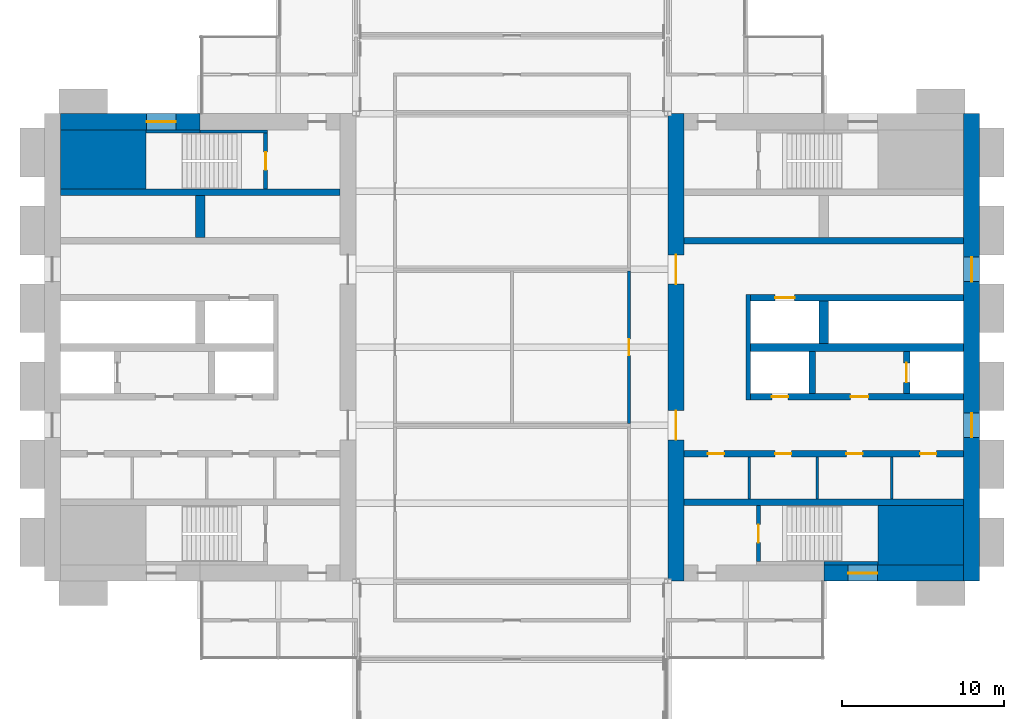
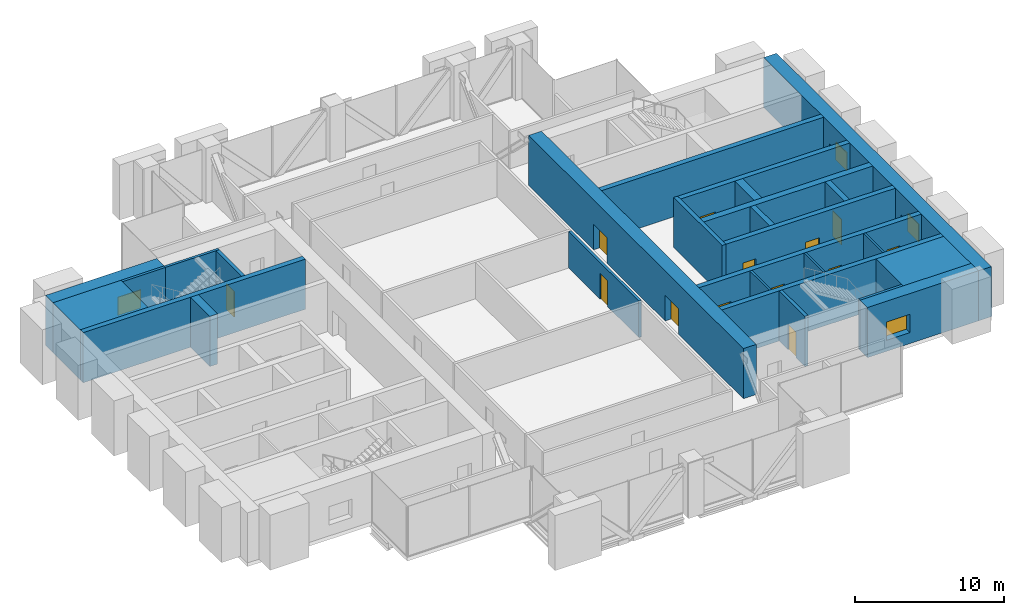
# One storey, part 11 of 14: 27 walls, 13 doors, 4 windows, 17 openings.
"""IFC4 building model written with IfcOpenShell, lengths in metres."""

from ifc_helpers import new_model, si_unit, direction, frame, frame_2d, origin, place, context, subcontext, project, spatial, rectangle, extrude, material, layer, layer_set, type_object, element, fill, save


model = new_model("IFC4")

# Units and contexts
model_context = context("Model", 3, precision=1e-05, world=origin(), true_north=direction((0.0, 1.0)))
body_context = subcontext(model_context, "Body", "Model", "MODEL_VIEW")
ifc_project = project(units=[si_unit("LENGTHUNIT", "METRE"), si_unit("AREAUNIT", "SQUARE_METRE"), si_unit("VOLUMEUNIT", "CUBIC_METRE"), si_unit("PLANEANGLEUNIT", "RADIAN"), si_unit("MASSUNIT", "GRAM", prefix="KILO")], contexts=[model_context])

# Site, building, storey
site_placement = place(None, origin())
site = spatial("IfcSite", under=ifc_project, at=site_placement, CompositionType="ELEMENT")
building_placement = place(site_placement, origin())
building = spatial("IfcBuilding", under=site, at=building_placement, Name="Baori Bourse Tower", CompositionType="ELEMENT")
storey_placement = place(building_placement, frame((0.0, 0.0, 176.10009765625)))
storey = spatial("IfcBuildingStorey", under=building, at=storey_placement, Name="L39", CompositionType="ELEMENT", Elevation=176.10009765625)

# Walls
ifc_material_1 = material(Name="Concrete f'c 60 MPa", Category="concrete")
wall_type_1 = type_object("IfcWallType", Name="Core corner block f'c 60", PredefinedType="SHEAR", material=ifc_material_1)
for number, where, z_axis, x_axis, name in (
    (1, (1.0, 35.574951171875, 0.0), (0.0, 0.0, 1.0), (1.0, 0.0, 0.0), "Core wall W24"),
    (2, (51.35009765625, 12.425048828125, 0.0), (0.0, 0.0, 1.0), (1.0, 0.0, 0.0), "Core wall E05"),
):
    element("IfcWall", number, at=place(storey_placement, frame(where, z_axis=z_axis, x_axis=x_axis)), inside=storey, type_object=wall_type_1, Name=name, PredefinedType="SHEAR", context=body_context, shape_type="SweptSolid", body=[
        extrude(rectangle(XDim=5.25, YDim=3.64990234375, at=frame_2d((2.625, 0.0))), origin(), (0.0, 0.0, 1.0), 4.099853515625),
    ])
ifc_material_2 = material(Name="Blockwork partition", Category="masonry")
ifc_layer_1 = layer(ifc_material_2, 0.14990234375)
ifc_layer_set_1 = layer_set([ifc_layer_1], Name="Core partition 150")
wall_type_2 = type_object("IfcWallType", Name="Core partition 150", PredefinedType="PARTITIONING", material=ifc_layer_set_1)
for number, where, z_axis, x_axis, name in (
    (3, (52.199951171875, 14.64990234375, 0.0), (0.0, 0.0, 1.0), (0.0, 1.0, 0.0), "Partition wall E10"),
    (4, (47.60009765625, 14.64990234375, 0.0), (0.0, 0.0, 1.0), (0.0, 1.0, 0.0), "Partition wall E11"),
    (5, (43.39990234375, 14.64990234375, 0.0), (0.0, 0.0, 1.0), (0.0, 1.0, 0.0), "Partition wall E12"),
):
    element("IfcWall", number, at=place(storey_placement, frame(where, z_axis=z_axis, x_axis=x_axis)), inside=storey, type_object=wall_type_2, Name=name, PredefinedType="PARTITIONING", context=body_context, shape_type="SweptSolid", body=[
        extrude(rectangle(XDim=2.60009765625, YDim=0.14990234375, at=frame_2d((1.300048828125, 0.0))), origin(), (0.0, 0.0, 1.0), 4.099853515625),
    ])

# Wall, opening, window
ifc_material_3 = material(Name="Concrete f'c 60 MPa", Category="concrete")
ifc_layer_2 = layer(ifc_material_3, 1.0)
ifc_layer_set_2 = layer_set([ifc_layer_2], Name="Core wall 1000 f'c 60")
wall_type_3 = type_object("IfcWallType", Name="Core wall 1000 f'c 60", PredefinedType="SHEAR", material=ifc_layer_set_2)
wall_1_placement = place(storey_placement, frame((1.0, 37.89990234375, 0.0), z_axis=(0.0, 0.0, 1.0), x_axis=(1.0, 0.0, 0.0)))
wall_1 = element("IfcWall", 6, at=wall_1_placement, inside=storey, type_object=wall_type_3, Name="Core wall W28", PredefinedType="SHEAR", context=body_context, shape_type="SweptSolid", body=[
    extrude(rectangle(XDim=8.60009765625, YDim=1.0, at=frame_2d((4.300048828125, 0.0))), origin(), (0.0, 0.0, 1.0), 4.099853515625),
])
opening_1_placement = place(wall_1_placement, frame((5.300048828125, 0.0, 0.89990234375)))
opening_1 = element("IfcOpeningElement", 7, at=opening_1_placement, cuts=wall_1, Name="Opening L39-KW104", PredefinedType="OPENING", context=body_context, shape_type="SweptSolid", body=[
    extrude(rectangle(XDim=1.800048828125, YDim=1.5, at=frame_2d((0.89990234375, 0.75))), frame((0.0, 0.510009765625, 0.0), z_axis=(0.0, -1.0, 0.0), x_axis=(1.0, 0.0, 0.0)), (0.0, 0.0, 1.0), 1.02001953125),
])
ifc_material_4 = material(Name="Pale anodised aluminium", Category="aluminium")
window_type_1 = type_object("IfcWindowType", Name="Stair window 1800 x 1500", PartitioningType="SINGLE_PANEL", PredefinedType="WINDOW", material=ifc_material_4)
window_1_placement = place(opening_1_placement, origin())
window_1 = element("IfcWindow", 8, at=window_1_placement, inside=storey, type_object=window_type_1, Name="Stair window W L39 4", OverallHeight=1.5, OverallWidth=1.800048828125, PartitioningType="SINGLE_PANEL", PredefinedType="WINDOW", context=body_context, shape_type="SweptSolid", body=[
    extrude(rectangle(XDim=1.800048828125, YDim=1.5, at=frame_2d((0.89990234375, 0.75))), frame((0.0, 0.030029296875, 0.0), z_axis=(0.0, -1.0, 0.0), x_axis=(1.0, 0.0, 0.0)), (0.0, 0.0, 1.0), 0.06005859375),
])
fill(opening_1, window_1)

# Wall, openings, windows
wall_2_placement = place(storey_placement, frame((57.10009765625, 38.39990234375, 0.0), z_axis=(0.0, 0.0, 1.0), x_axis=(0.0, -1.0, 0.0)))
wall_2 = element("IfcWall", 9, at=wall_2_placement, inside=storey, type_object=wall_type_3, Name="Core wall E01", PredefinedType="SHEAR", context=body_context, shape_type="SweptSolid", body=[
    extrude(rectangle(XDim=28.7998046875, YDim=1.0, at=frame_2d((14.39990234375, 0.0))), origin(), (0.0, 0.0, 1.0), 4.099853515625),
])
opening_2_placement = place(wall_2_placement, frame((18.449951171875, 0.0, 0.89990234375)))
opening_2 = element("IfcOpeningElement", 10, at=opening_2_placement, cuts=wall_2, Name="Opening L39-KW201", PredefinedType="OPENING", context=body_context, shape_type="SweptSolid", body=[
    extrude(rectangle(XDim=1.5, YDim=1.5, at=frame_2d((0.75, 0.75))), frame((0.0, 0.510009765625, 0.0), z_axis=(0.0, -1.0, 0.0), x_axis=(1.0, 0.0, 0.0)), (0.0, 0.0, 1.0), 1.02001953125),
])
opening_3_placement = place(wall_2_placement, frame((8.85009765625, 0.0, 0.89990234375)))
opening_3 = element("IfcOpeningElement", 11, at=opening_3_placement, cuts=wall_2, Name="Opening L39-KW202", PredefinedType="OPENING", context=body_context, shape_type="SweptSolid", body=[
    extrude(rectangle(XDim=1.5, YDim=1.5, at=frame_2d((0.75, 0.75))), frame((0.0, 0.510009765625, 0.0), z_axis=(0.0, -1.0, 0.0), x_axis=(1.0, 0.0, 0.0)), (0.0, 0.0, 1.0), 1.02001953125),
])
ifc_material_5 = material(Name="Pale anodised aluminium", Category="aluminium")
window_type_2 = type_object("IfcWindowType", Name="Lobby window 1500 x 1500", PartitioningType="SINGLE_PANEL", PredefinedType="WINDOW", material=ifc_material_5)
window_2_placement = place(opening_2_placement, origin())
window_2 = element("IfcWindow", 12, at=window_2_placement, inside=storey, type_object=window_type_2, Name="Outer wall window E L39 1", OverallHeight=1.5, OverallWidth=1.5, PartitioningType="SINGLE_PANEL", PredefinedType="WINDOW", context=body_context, shape_type="SweptSolid", body=[
    extrude(rectangle(XDim=1.5, YDim=1.5, at=frame_2d((0.75, 0.75))), frame((0.0, 0.030029296875, 0.0), z_axis=(0.0, -1.0, 0.0), x_axis=(1.0, 0.0, 0.0)), (0.0, 0.0, 1.0), 0.06005859375),
])
fill(opening_2, window_2)
window_3_placement = place(opening_3_placement, origin())
window_3 = element("IfcWindow", 13, at=window_3_placement, inside=storey, type_object=window_type_2, Name="Outer wall window E L39 2", OverallHeight=1.5, OverallWidth=1.5, PartitioningType="SINGLE_PANEL", PredefinedType="WINDOW", context=body_context, shape_type="SweptSolid", body=[
    extrude(rectangle(XDim=1.5, YDim=1.5, at=frame_2d((0.75, 0.75))), frame((0.0, 0.030029296875, 0.0), z_axis=(0.0, -1.0, 0.0), x_axis=(1.0, 0.0, 0.0)), (0.0, 0.0, 1.0), 0.06005859375),
])
fill(opening_3, window_3)

# Wall, opening, window
wall_3_placement = place(storey_placement, frame((56.60009765625, 10.10009765625, 0.0), z_axis=(0.0, 0.0, 1.0), x_axis=(-1.0, 0.0, 0.0)))
wall_3 = element("IfcWall", 14, at=wall_3_placement, inside=storey, type_object=wall_type_3, Name="Core wall E02", PredefinedType="SHEAR", context=body_context, shape_type="SweptSolid", body=[
    extrude(rectangle(XDim=8.60009765625, YDim=1.0, at=frame_2d((4.300048828125, 0.0))), origin(), (0.0, 0.0, 1.0), 4.099853515625),
])
opening_4_placement = place(wall_3_placement, frame((5.300048828125, 0.0, 0.89990234375)))
opening_4 = element("IfcOpeningElement", 15, at=opening_4_placement, cuts=wall_3, Name="Opening L39-KW203", PredefinedType="OPENING", context=body_context, shape_type="SweptSolid", body=[
    extrude(rectangle(XDim=1.800048828125, YDim=1.5, at=frame_2d((0.89990234375, 0.75))), frame((0.0, 0.510009765625, 0.0), z_axis=(0.0, -1.0, 0.0), x_axis=(1.0, 0.0, 0.0)), (0.0, 0.0, 1.0), 1.02001953125),
])
window_4_placement = place(opening_4_placement, origin())
window_4 = element("IfcWindow", 16, at=window_4_placement, inside=storey, type_object=window_type_1, Name="Stair window E L39 3", OverallHeight=1.5, OverallWidth=1.800048828125, PartitioningType="SINGLE_PANEL", PredefinedType="WINDOW", context=body_context, shape_type="SweptSolid", body=[
    extrude(rectangle(XDim=1.800048828125, YDim=1.5, at=frame_2d((0.89990234375, 0.75))), frame((0.0, 0.030029296875, 0.0), z_axis=(0.0, -1.0, 0.0), x_axis=(1.0, 0.0, 0.0)), (0.0, 0.0, 1.0), 0.06005859375),
])
fill(opening_4, window_4)

# Wall, openings, doors
wall_4_placement = place(storey_placement, frame((38.89990234375, 9.60009765625, 0.0), z_axis=(0.0, 0.0, 1.0), x_axis=(0.0, 1.0, 0.0)))
wall_4 = element("IfcWall", 17, at=wall_4_placement, inside=storey, type_object=wall_type_3, Name="Core wall E04", PredefinedType="SHEAR", context=body_context, shape_type="SweptSolid", body=[
    extrude(rectangle(XDim=28.7998046875, YDim=1.0, at=frame_2d((14.39990234375, 0.0))), origin(), (0.0, 0.0, 1.0), 4.099853515625),
])
opening_5_placement = place(wall_4_placement, frame((8.699951171875, 0.0, 0.0)))
opening_5 = element("IfcOpeningElement", 18, at=opening_5_placement, cuts=wall_4, Name="Opening L39-D207", PredefinedType="OPENING", context=body_context, shape_type="SweptSolid", body=[
    extrude(rectangle(XDim=1.800048828125, YDim=2.10009765625, at=frame_2d((0.89990234375, 1.050048828125))), frame((0.0, 0.510009765625, 0.0), z_axis=(0.0, -1.0, 0.0), x_axis=(1.0, 0.0, 0.0)), (0.0, 0.0, 1.0), 1.02001953125),
])
opening_6_placement = place(wall_4_placement, frame((18.300048828125, 0.0, 0.0)))
opening_6 = element("IfcOpeningElement", 19, at=opening_6_placement, cuts=wall_4, Name="Opening L39-D208", PredefinedType="OPENING", context=body_context, shape_type="SweptSolid", body=[
    extrude(rectangle(XDim=1.800048828125, YDim=2.10009765625, at=frame_2d((0.89990234375, 1.050048828125))), frame((0.0, 0.510009765625, 0.0), z_axis=(0.0, -1.0, 0.0), x_axis=(1.0, 0.0, 0.0)), (0.0, 0.0, 1.0), 1.02001953125),
])
ifc_material_6 = material(Name="Painted steel door", Category="steel")
door_type_1 = type_object("IfcDoorType", Name="Core lobby door 1800", OperationType="DOUBLE_DOOR_SINGLE_SWING", PredefinedType="DOOR", material=ifc_material_6)
door_1_placement = place(opening_5_placement, origin())
door_1 = element("IfcDoor", 20, at=door_1_placement, inside=storey, type_object=door_type_1, Name="Lobby door E L39", OperationType="DOUBLE_DOOR_SINGLE_SWING", OverallHeight=2.10009765625, OverallWidth=1.800048828125, PredefinedType="DOOR", context=body_context, shape_type="SweptSolid", body=[
    extrude(rectangle(XDim=1.800048828125, YDim=2.10009765625, at=frame_2d((0.89990234375, 1.050048828125))), frame((0.0, 0.02490234375, 0.0), z_axis=(0.0, -1.0, 0.0), x_axis=(1.0, 0.0, 0.0)), (0.0, 0.0, 1.0), 0.050048828125),
])
fill(opening_5, door_1)
door_2_placement = place(opening_6_placement, origin())
door_2 = element("IfcDoor", 21, at=door_2_placement, inside=storey, type_object=door_type_1, Name="Lobby door E L39", OperationType="DOUBLE_DOOR_SINGLE_SWING", OverallHeight=2.10009765625, OverallWidth=1.800048828125, PredefinedType="DOOR", context=body_context, shape_type="SweptSolid", body=[
    extrude(rectangle(XDim=1.800048828125, YDim=2.10009765625, at=frame_2d((0.89990234375, 1.050048828125))), frame((0.0, 0.02490234375, 0.0), z_axis=(0.0, -1.0, 0.0), x_axis=(1.0, 0.0, 0.0)), (0.0, 0.0, 1.0), 0.050048828125),
])
fill(opening_6, door_2)

# Wall, opening, door
ifc_material_7 = material(Name="Gypsum board partition")
ifc_layer_3 = layer(ifc_material_7, 0.199951171875)
ifc_layer_set_3 = layer_set([ifc_layer_3], Name="Plant room wall 200")
wall_type_4 = type_object("IfcWallType", Name="Plant room wall 200", PredefinedType="PARTITIONING", material=ifc_layer_set_3)
wall_5_placement = place(storey_placement, frame((36.0, 19.300048828125, 0.0), z_axis=(0.0, 0.0, 1.0), x_axis=(0.0, 1.0, 0.0)))
wall_5 = element("IfcWall", 22, at=wall_5_placement, inside=storey, type_object=wall_type_4, Name="Partition", PredefinedType="PARTITIONING", context=body_context, shape_type="SweptSolid", body=[
    extrude(rectangle(XDim=9.39990234375, YDim=0.199951171875, at=frame_2d((4.699951171875, 0.0))), origin(), (0.0, 0.0, 1.0), 2.992431640625),
])
opening_7_placement = place(wall_5_placement, frame((4.199951171875, 0.0, 0.0)))
opening_7 = element("IfcOpeningElement", 23, at=opening_7_placement, cuts=wall_5, Name="Opening L39-D16", PredefinedType="OPENING", context=body_context, shape_type="SweptSolid", body=[
    extrude(rectangle(XDim=1.0, YDim=2.10009765625, at=frame_2d((0.5, 1.050048828125))), frame((0.0, 0.10986328125, 0.0), z_axis=(0.0, -1.0, 0.0), x_axis=(1.0, 0.0, 0.0)), (0.0, 0.0, 1.0), 0.219970703125),
])
ifc_material_8 = material(Name="Timber door leaf", Category="wood")
door_type_2 = type_object("IfcDoorType", Name="Door 1000 x 2100", OperationType="SINGLE_SWING_LEFT", PredefinedType="DOOR", material=ifc_material_8)
door_3_placement = place(opening_7_placement, origin())
door_3 = element("IfcDoor", 24, at=door_3_placement, inside=storey, type_object=door_type_2, Name="Door", OperationType="SINGLE_SWING_RIGHT", OverallHeight=2.10009765625, OverallWidth=1.0, PredefinedType="DOOR", context=body_context, shape_type="SweptSolid", body=[
    extrude(rectangle(XDim=1.0, YDim=2.10009765625, at=frame_2d((0.5, 1.050048828125))), frame((0.0, 0.02490234375, 0.0), z_axis=(0.0, -1.0, 0.0), x_axis=(1.0, 0.0, 0.0)), (0.0, 0.0, 1.0), 0.050048828125),
])
fill(opening_7, door_3)

# Walls
ifc_material_9 = material(Name="Concrete f'c 60 MPa", Category="concrete")
ifc_layer_4 = layer(ifc_material_9, 0.199951171875)
ifc_layer_set_4 = layer_set([ifc_layer_4], Name="Shaft wall 200 f'c 60")
wall_type_5 = type_object("IfcWallType", Name="Shaft wall 200 f'c 60", PredefinedType="SHEAR", material=ifc_layer_set_4)
wall_6_placement = place(storey_placement, frame((6.25, 37.300048828125, 0.0), z_axis=(0.0, 0.0, 1.0), x_axis=(1.0, 0.0, 0.0)))
element("IfcWall", 25, at=wall_6_placement, inside=storey, type_object=wall_type_5, Name="Core wall W26", PredefinedType="SHEAR", context=body_context, shape_type="SweptSolid", body=[
    extrude(rectangle(XDim=3.35009765625, YDim=0.199951171875, at=frame_2d((1.675048828125, 0.0))), origin(), (0.0, 0.0, 1.0), 4.099853515625),
])
wall_7_placement = place(storey_placement, frame((9.60009765625, 37.300048828125, 0.0), z_axis=(0.0, 0.0, 1.0), x_axis=(1.0, 0.0, 0.0)))
element("IfcWall", 26, at=wall_7_placement, inside=storey, type_object=wall_type_5, Name="Core wall W27", PredefinedType="SHEAR", context=body_context, shape_type="SweptSolid", body=[
    extrude(rectangle(XDim=4.14990234375, YDim=0.199951171875, at=frame_2d((2.074951171875, 0.0))), origin(), (0.0, 0.0, 1.0), 4.099853515625),
])
wall_8_placement = place(storey_placement, frame((48.0, 10.699951171875, 0.0), z_axis=(0.0, 0.0, 1.0), x_axis=(1.0, 0.0, 0.0)))
element("IfcWall", 27, at=wall_8_placement, inside=storey, type_object=wall_type_5, Name="Core wall E06", PredefinedType="SHEAR", context=body_context, shape_type="SweptSolid", body=[
    extrude(rectangle(XDim=3.35009765625, YDim=0.199951171875, at=frame_2d((1.675048828125, 0.0))), origin(), (0.0, 0.0, 1.0), 4.099853515625),
])

# Wall, opening, door
ifc_material_10 = material(Name="Concrete f'c 60 MPa", Category="concrete")
ifc_layer_5 = layer(ifc_material_10, 0.25)
ifc_layer_set_5 = layer_set([ifc_layer_5], Name="Shaft wall 250 f'c 60")
wall_type_6 = type_object("IfcWallType", Name="Shaft wall 250 f'c 60", PredefinedType="SHEAR", material=ifc_layer_set_5)
wall_9_placement = place(storey_placement, frame((13.625, 33.75, 0.0), z_axis=(0.0, 0.0, 1.0), x_axis=(0.0, 1.0, 0.0)))
wall_9 = element("IfcWall", 28, at=wall_9_placement, inside=storey, type_object=wall_type_6, Name="Core wall W25", PredefinedType="SHEAR", context=body_context, shape_type="SweptSolid", body=[
    extrude(rectangle(XDim=3.449951171875, YDim=0.25, at=frame_2d((1.72509765625, 0.0))), origin(), (0.0, 0.0, 1.0), 4.099853515625),
])
opening_8_placement = place(wall_9_placement, frame((1.175048828125, 0.0, 0.0)))
opening_8 = element("IfcOpeningElement", 29, at=opening_8_placement, cuts=wall_9, Name="Opening L39-D103", PredefinedType="OPENING", context=body_context, shape_type="SweptSolid", body=[
    extrude(rectangle(XDim=1.10009765625, YDim=2.10009765625, at=frame_2d((0.550048828125, 1.050048828125))), frame((0.0, 0.135009765625, 0.0), z_axis=(0.0, -1.0, 0.0), x_axis=(1.0, 0.0, 0.0)), (0.0, 0.0, 1.0), 0.27001953125),
])
ifc_material_11 = material(Name="Painted steel door", Category="steel")
door_type_3 = type_object("IfcDoorType", Name="Stair door 1100", OperationType="SINGLE_SWING_LEFT", PredefinedType="DOOR", material=ifc_material_11)
door_4_placement = place(opening_8_placement, origin())
door_4 = element("IfcDoor", 30, at=door_4_placement, inside=storey, type_object=door_type_3, Name="Stair door B W L39", OperationType="SINGLE_SWING_LEFT", OverallHeight=2.10009765625, OverallWidth=1.10009765625, PredefinedType="DOOR", context=body_context, shape_type="SweptSolid", body=[
    extrude(rectangle(XDim=1.10009765625, YDim=2.10009765625, at=frame_2d((0.550048828125, 1.050048828125))), frame((0.0, 0.02490234375, 0.0), z_axis=(0.0, -1.0, 0.0), x_axis=(1.0, 0.0, 0.0)), (0.0, 0.0, 1.0), 0.050048828125),
])
fill(opening_8, door_4)

wall_10_placement = place(storey_placement, frame((43.97509765625, 10.800048828125, 0.0), z_axis=(0.0, 0.0, 1.0), x_axis=(0.0, 1.0, 0.0)))
wall_10 = element("IfcWall", 31, at=wall_10_placement, inside=storey, type_object=wall_type_6, Name="Core wall E08", PredefinedType="SHEAR", context=body_context, shape_type="SweptSolid", body=[
    extrude(rectangle(XDim=3.449951171875, YDim=0.25, at=frame_2d((1.72509765625, 0.0))), origin(), (0.0, 0.0, 1.0), 4.099853515625),
])
opening_9_placement = place(wall_10_placement, frame((1.175048828125, 0.0, 0.0)))
opening_9 = element("IfcOpeningElement", 32, at=opening_9_placement, cuts=wall_10, Name="Opening L39-D201", PredefinedType="OPENING", context=body_context, shape_type="SweptSolid", body=[
    extrude(rectangle(XDim=1.10009765625, YDim=2.10009765625, at=frame_2d((0.550048828125, 1.050048828125))), frame((0.0, 0.135009765625, 0.0), z_axis=(0.0, -1.0, 0.0), x_axis=(1.0, 0.0, 0.0)), (0.0, 0.0, 1.0), 0.27001953125),
])
door_5_placement = place(opening_9_placement, origin())
door_5 = element("IfcDoor", 33, at=door_5_placement, inside=storey, type_object=door_type_3, Name="Stair door A E L39", OperationType="SINGLE_SWING_LEFT", OverallHeight=2.10009765625, OverallWidth=1.10009765625, PredefinedType="DOOR", context=body_context, shape_type="SweptSolid", body=[
    extrude(rectangle(XDim=1.10009765625, YDim=2.10009765625, at=frame_2d((0.550048828125, 1.050048828125))), frame((0.0, 0.02490234375, 0.0), z_axis=(0.0, -1.0, 0.0), x_axis=(1.0, 0.0, 0.0)), (0.0, 0.0, 1.0), 0.050048828125),
])
fill(opening_9, door_5)

# Walls
ifc_material_12 = material(Name="Concrete f'c 60 MPa", Category="concrete")
ifc_layer_6 = layer(ifc_material_12, 0.300048828125)
ifc_layer_set_6 = layer_set([ifc_layer_6], Name="Shaft wall 300 f'c 60")
wall_type_7 = type_object("IfcWallType", Name="Shaft wall 300 f'c 60", PredefinedType="SHEAR", material=ifc_layer_set_6)
wall_11_placement = place(storey_placement, frame((43.35009765625, 20.75, 0.0), z_axis=(0.0, 0.0, 1.0), x_axis=(0.0, 1.0, 0.0)))
element("IfcWall", 34, at=wall_11_placement, inside=storey, type_object=wall_type_7, Name="Core wall E15", PredefinedType="SHEAR", context=body_context, shape_type="SweptSolid", body=[
    extrude(rectangle(XDim=6.5, YDim=0.300048828125, at=frame_2d((3.25, 0.0))), origin(), (0.0, 0.0, 1.0), 4.099853515625),
])
ifc_material_13 = material(Name="Concrete f'c 60 MPa", Category="concrete")
ifc_layer_7 = layer(ifc_material_13, 0.39990234375)
ifc_layer_set_7 = layer_set([ifc_layer_7], Name="Shaft wall 400 f'c 60")
wall_type_8 = type_object("IfcWallType", Name="Shaft wall 400 f'c 60", PredefinedType="SHEAR", material=ifc_layer_set_7)
wall_12_placement = place(storey_placement, frame((1.0, 33.550048828125, 0.0), z_axis=(0.0, 0.0, 1.0), x_axis=(1.0, 0.0, 0.0)))
element("IfcWall", 35, at=wall_12_placement, inside=storey, type_object=wall_type_8, Name="Core wall W23", PredefinedType="SHEAR", context=body_context, shape_type="SweptSolid", body=[
    extrude(rectangle(XDim=17.199951171875, YDim=0.39990234375, at=frame_2d((8.60009765625, 0.0))), origin(), (0.0, 0.0, 1.0), 4.099853515625),
])
wall_13_placement = place(storey_placement, frame((39.39990234375, 14.449951171875, 0.0), z_axis=(0.0, 0.0, 1.0), x_axis=(1.0, 0.0, 0.0)))
element("IfcWall", 36, at=wall_13_placement, inside=storey, type_object=wall_type_8, Name="Core wall E09", PredefinedType="SHEAR", context=body_context, shape_type="SweptSolid", body=[
    extrude(rectangle(XDim=17.2001953125, YDim=0.39990234375, at=frame_2d((8.60009765625, 0.0))), origin(), (0.0, 0.0, 1.0), 4.099853515625),
])

# Wall, openings, doors
wall_14_placement = place(storey_placement, frame((39.39990234375, 17.449951171875, 0.0), z_axis=(0.0, 0.0, 1.0), x_axis=(1.0, 0.0, 0.0)))
wall_14 = element("IfcWall", 37, at=wall_14_placement, inside=storey, type_object=wall_type_8, Name="Core wall E13", PredefinedType="SHEAR", context=body_context, shape_type="SweptSolid", body=[
    extrude(rectangle(XDim=17.2001953125, YDim=0.39990234375, at=frame_2d((8.60009765625, 0.0))), origin(), (0.0, 0.0, 1.0), 4.099853515625),
])
opening_10_placement = place(wall_14_placement, frame((14.53759765625, 0.0, 0.0)))
opening_10 = element("IfcOpeningElement", 38, at=opening_10_placement, cuts=wall_14, Name="Opening L39-D209", PredefinedType="OPENING", context=body_context, shape_type="SweptSolid", body=[
    extrude(rectangle(XDim=1.0, YDim=2.10009765625, at=frame_2d((0.5, 1.050048828125))), frame((0.0, 0.2099609375, 0.0), z_axis=(0.0, -1.0, 0.0), x_axis=(1.0, 0.0, 0.0)), (0.0, 0.0, 1.0), 0.419921875),
])
opening_11_placement = place(wall_14_placement, frame((10.0, 0.0, 0.0)))
opening_11 = element("IfcOpeningElement", 39, at=opening_11_placement, cuts=wall_14, Name="Opening L39-D210", PredefinedType="OPENING", context=body_context, shape_type="SweptSolid", body=[
    extrude(rectangle(XDim=1.0, YDim=2.10009765625, at=frame_2d((0.5, 1.050048828125))), frame((0.0, 0.2099609375, 0.0), z_axis=(0.0, -1.0, 0.0), x_axis=(1.0, 0.0, 0.0)), (0.0, 0.0, 1.0), 0.419921875),
])
opening_12_placement = place(wall_14_placement, frame((5.60009765625, 0.0, 0.0)))
opening_12 = element("IfcOpeningElement", 40, at=opening_12_placement, cuts=wall_14, Name="Opening L39-D211", PredefinedType="OPENING", context=body_context, shape_type="SweptSolid", body=[
    extrude(rectangle(XDim=1.0, YDim=2.10009765625, at=frame_2d((0.5, 1.050048828125))), frame((0.0, 0.2099609375, 0.0), z_axis=(0.0, -1.0, 0.0), x_axis=(1.0, 0.0, 0.0)), (0.0, 0.0, 1.0), 0.419921875),
])
opening_13_placement = place(wall_14_placement, frame((1.46240234375, 0.0, 0.0)))
opening_13 = element("IfcOpeningElement", 41, at=opening_13_placement, cuts=wall_14, Name="Opening L39-D212", PredefinedType="OPENING", context=body_context, shape_type="SweptSolid", body=[
    extrude(rectangle(XDim=1.0, YDim=2.10009765625, at=frame_2d((0.5, 1.050048828125))), frame((0.0, 0.2099609375, 0.0), z_axis=(0.0, -1.0, 0.0), x_axis=(1.0, 0.0, 0.0)), (0.0, 0.0, 1.0), 0.419921875),
])
ifc_material_14 = material(Name="Painted steel door", Category="steel")
door_type_4 = type_object("IfcDoorType", Name="Core door 1000", OperationType="SINGLE_SWING_LEFT", PredefinedType="DOOR", material=ifc_material_14)
door_6_placement = place(opening_12_placement, origin())
door_6 = element("IfcDoor", 42, at=door_6_placement, inside=storey, type_object=door_type_4, Name="Plant Floor Refuge Room door E L39", OperationType="SINGLE_SWING_LEFT", OverallHeight=2.10009765625, OverallWidth=1.0, PredefinedType="DOOR", context=body_context, shape_type="SweptSolid", body=[
    extrude(rectangle(XDim=1.0, YDim=2.10009765625, at=frame_2d((0.5, 1.050048828125))), frame((0.0, 0.02490234375, 0.0), z_axis=(0.0, -1.0, 0.0), x_axis=(1.0, 0.0, 0.0)), (0.0, 0.0, 1.0), 0.050048828125),
])
fill(opening_12, door_6)
ifc_material_15 = material(Name="Painted steel door", Category="steel")
door_type_5 = type_object("IfcDoorType", Name="Plant room door 1000", OperationType="SINGLE_SWING_LEFT", PredefinedType="DOOR", material=ifc_material_15)
door_7_placement = place(opening_10_placement, origin())
door_7 = element("IfcDoor", 43, at=door_7_placement, inside=storey, type_object=door_type_5, Name="Electrical Room door E L39", OperationType="SINGLE_SWING_LEFT", OverallHeight=2.10009765625, OverallWidth=1.0, PredefinedType="DOOR", context=body_context, shape_type="SweptSolid", body=[
    extrude(rectangle(XDim=1.0, YDim=2.10009765625, at=frame_2d((0.5, 1.050048828125))), frame((0.0, 0.02490234375, 0.0), z_axis=(0.0, -1.0, 0.0), x_axis=(1.0, 0.0, 0.0)), (0.0, 0.0, 1.0), 0.050048828125),
])
fill(opening_10, door_7)
door_8_placement = place(opening_11_placement, origin())
door_8 = element("IfcDoor", 44, at=door_8_placement, inside=storey, type_object=door_type_5, Name="Mechanical Room door E L39", OperationType="SINGLE_SWING_LEFT", OverallHeight=2.10009765625, OverallWidth=1.0, PredefinedType="DOOR", context=body_context, shape_type="SweptSolid", body=[
    extrude(rectangle(XDim=1.0, YDim=2.10009765625, at=frame_2d((0.5, 1.050048828125))), frame((0.0, 0.02490234375, 0.0), z_axis=(0.0, -1.0, 0.0), x_axis=(1.0, 0.0, 0.0)), (0.0, 0.0, 1.0), 0.050048828125),
])
fill(opening_11, door_8)
door_9_placement = place(opening_13_placement, origin())
door_9 = element("IfcDoor", 45, at=door_9_placement, inside=storey, type_object=door_type_5, Name="Communications Room door E L39", OperationType="SINGLE_SWING_LEFT", OverallHeight=2.10009765625, OverallWidth=1.0, PredefinedType="DOOR", context=body_context, shape_type="SweptSolid", body=[
    extrude(rectangle(XDim=1.0, YDim=2.10009765625, at=frame_2d((0.5, 1.050048828125))), frame((0.0, 0.02490234375, 0.0), z_axis=(0.0, -1.0, 0.0), x_axis=(1.0, 0.0, 0.0)), (0.0, 0.0, 1.0), 0.050048828125),
])
fill(opening_13, door_9)

wall_15_placement = place(storey_placement, frame((43.5, 20.949951171875, 0.0), z_axis=(0.0, 0.0, 1.0), x_axis=(1.0, 0.0, 0.0)))
wall_15 = element("IfcWall", 46, at=wall_15_placement, inside=storey, type_object=wall_type_8, Name="Core wall E14", PredefinedType="SHEAR", context=body_context, shape_type="SweptSolid", body=[
    extrude(rectangle(XDim=13.10009765625, YDim=0.39990234375, at=frame_2d((6.550048828125, 0.0))), origin(), (0.0, 0.0, 1.0), 4.099853515625),
])
opening_14_placement = place(wall_15_placement, frame((6.14990234375, 0.0, 0.0)))
opening_14 = element("IfcOpeningElement", 47, at=opening_14_placement, cuts=wall_15, Name="Opening L39-D205", PredefinedType="OPENING", context=body_context, shape_type="SweptSolid", body=[
    extrude(rectangle(XDim=1.10009765625, YDim=2.10009765625, at=frame_2d((0.550048828125, 1.050048828125))), frame((0.0, 0.2099609375, 0.0), z_axis=(0.0, -1.0, 0.0), x_axis=(1.0, 0.0, 0.0)), (0.0, 0.0, 1.0), 0.419921875),
])
opening_15_placement = place(wall_15_placement, frame((1.300048828125, 0.0, 0.0)))
opening_15 = element("IfcOpeningElement", 48, at=opening_15_placement, cuts=wall_15, Name="Opening L39-D206", PredefinedType="OPENING", context=body_context, shape_type="SweptSolid", body=[
    extrude(rectangle(XDim=1.0, YDim=2.10009765625, at=frame_2d((0.5, 1.050048828125))), frame((0.0, 0.2099609375, 0.0), z_axis=(0.0, -1.0, 0.0), x_axis=(1.0, 0.0, 0.0)), (0.0, 0.0, 1.0), 0.419921875),
])
ifc_material_16 = material(Name="Painted steel door", Category="steel")
door_type_6 = type_object("IfcDoorType", Name="Lobby door 1100", OperationType="SINGLE_SWING_LEFT", PredefinedType="DOOR", material=ifc_material_16)
door_10_placement = place(opening_14_placement, origin())
door_10 = element("IfcDoor", 49, at=door_10_placement, inside=storey, type_object=door_type_6, Name="Firefighting lobby door E L39", OperationType="SINGLE_SWING_LEFT", OverallHeight=2.10009765625, OverallWidth=1.10009765625, PredefinedType="DOOR", context=body_context, shape_type="SweptSolid", body=[
    extrude(rectangle(XDim=1.10009765625, YDim=2.10009765625, at=frame_2d((0.550048828125, 1.050048828125))), frame((0.0, 0.02490234375, 0.0), z_axis=(0.0, -1.0, 0.0), x_axis=(1.0, 0.0, 0.0)), (0.0, 0.0, 1.0), 0.050048828125),
])
fill(opening_14, door_10)
ifc_material_17 = material(Name="Painted steel door", Category="steel")
door_type_7 = type_object("IfcDoorType", Name="Shaft door 1000", OperationType="SINGLE_SWING_LEFT", PredefinedType="DOOR", material=ifc_material_17)
door_11_placement = place(opening_15_placement, origin())
door_11 = element("IfcDoor", 50, at=door_11_placement, inside=storey, type_object=door_type_7, Name="Riser room door E L39", OperationType="SINGLE_SWING_LEFT", OverallHeight=2.10009765625, OverallWidth=1.0, PredefinedType="DOOR", context=body_context, shape_type="SweptSolid", body=[
    extrude(rectangle(XDim=1.0, YDim=2.10009765625, at=frame_2d((0.5, 1.050048828125))), frame((0.0, 0.02490234375, 0.0), z_axis=(0.0, -1.0, 0.0), x_axis=(1.0, 0.0, 0.0)), (0.0, 0.0, 1.0), 0.050048828125),
])
fill(opening_15, door_11)

# Wall, opening, door
wall_16_placement = place(storey_placement, frame((53.10009765625, 21.14990234375, 0.0), z_axis=(0.0, 0.0, 1.0), x_axis=(0.0, 1.0, 0.0)))
wall_16 = element("IfcWall", 51, at=wall_16_placement, inside=storey, type_object=wall_type_8, Name="Core wall E16", PredefinedType="SHEAR", context=body_context, shape_type="SweptSolid", body=[
    extrude(rectangle(XDim=2.60009765625, YDim=0.39990234375, at=frame_2d((1.300048828125, 0.0))), origin(), (0.0, 0.0, 1.0), 4.099853515625),
])
opening_16_placement = place(wall_16_placement, frame((0.699951171875, 0.0, 0.0)))
opening_16 = element("IfcOpeningElement", 52, at=opening_16_placement, cuts=wall_16, Name="Opening L39-D214", PredefinedType="OPENING", context=body_context, shape_type="SweptSolid", body=[
    extrude(rectangle(XDim=1.199951171875, YDim=2.10009765625, at=frame_2d((0.60009765625, 1.050048828125))), frame((0.0, 0.2099609375, 0.0), z_axis=(0.0, -1.0, 0.0), x_axis=(1.0, 0.0, 0.0)), (0.0, 0.0, 1.0), 0.419921875),
])
ifc_material_18 = material(Name="Stainless steel door", Category="steel")
door_type_8 = type_object("IfcDoorType", Name="Lift landing door", OperationType="DOUBLE_DOOR_SLIDING", PredefinedType="DOOR", material=ifc_material_18)
door_12_placement = place(opening_16_placement, origin())
door_12 = element("IfcDoor", 53, at=door_12_placement, inside=storey, type_object=door_type_8, Name="Lift landing door FF2 E L39", OperationType="DOUBLE_DOOR_SLIDING", OverallHeight=2.10009765625, OverallWidth=1.199951171875, PredefinedType="DOOR", context=body_context, shape_type="SweptSolid", body=[
    extrude(rectangle(XDim=1.199951171875, YDim=2.10009765625, at=frame_2d((0.60009765625, 1.050048828125))), frame((0.0, 0.02490234375, 0.0), z_axis=(0.0, -1.0, 0.0), x_axis=(1.0, 0.0, 0.0)), (0.0, 0.0, 1.0), 0.050048828125),
])
fill(opening_16, door_12)

# Wall
wall_17_placement = place(storey_placement, frame((47.300048828125, 21.14990234375, 0.0), z_axis=(0.0, 0.0, 1.0), x_axis=(0.0, 1.0, 0.0)))
element("IfcWall", 54, at=wall_17_placement, inside=storey, type_object=wall_type_8, Name="Core wall E17", PredefinedType="SHEAR", context=body_context, shape_type="SweptSolid", body=[
    extrude(rectangle(XDim=2.60009765625, YDim=0.39990234375, at=frame_2d((1.300048828125, 0.0))), origin(), (0.0, 0.0, 1.0), 4.099853515625),
])

# Wall, opening, door
wall_18_placement = place(storey_placement, frame((43.5, 27.050048828125, 0.0), z_axis=(0.0, 0.0, 1.0), x_axis=(1.0, 0.0, 0.0)))
wall_18 = element("IfcWall", 55, at=wall_18_placement, inside=storey, type_object=wall_type_8, Name="Core wall E20", PredefinedType="SHEAR", context=body_context, shape_type="SweptSolid", body=[
    extrude(rectangle(XDim=13.10009765625, YDim=0.39990234375, at=frame_2d((6.550048828125, 0.0))), origin(), (0.0, 0.0, 1.0), 4.099853515625),
])
opening_17_placement = place(wall_18_placement, frame((1.5, 0.0, 0.0)))
opening_17 = element("IfcOpeningElement", 56, at=opening_17_placement, cuts=wall_18, Name="Opening L39-D213", PredefinedType="OPENING", context=body_context, shape_type="SweptSolid", body=[
    extrude(rectangle(XDim=1.199951171875, YDim=2.10009765625, at=frame_2d((0.60009765625, 1.050048828125))), frame((0.0, 0.2099609375, 0.0), z_axis=(0.0, -1.0, 0.0), x_axis=(1.0, 0.0, 0.0)), (0.0, 0.0, 1.0), 0.419921875),
])
door_13_placement = place(opening_17_placement, origin())
door_13 = element("IfcDoor", 57, at=door_13_placement, inside=storey, type_object=door_type_8, Name="Lift landing door SV1 E L39", OperationType="DOUBLE_DOOR_SLIDING", OverallHeight=2.10009765625, OverallWidth=1.199951171875, PredefinedType="DOOR", context=body_context, shape_type="SweptSolid", body=[
    extrude(rectangle(XDim=1.199951171875, YDim=2.10009765625, at=frame_2d((0.60009765625, 1.050048828125))), frame((0.0, 0.02490234375, 0.0), z_axis=(0.0, -1.0, 0.0), x_axis=(1.0, 0.0, 0.0)), (0.0, 0.0, 1.0), 0.050048828125),
])
fill(opening_17, door_13)

# Walls
wall_19_placement = place(storey_placement, frame((39.39990234375, 30.550048828125, 0.0), z_axis=(0.0, 0.0, 1.0), x_axis=(1.0, 0.0, 0.0)))
element("IfcWall", 58, at=wall_19_placement, inside=storey, type_object=wall_type_8, Name="Core wall E21", PredefinedType="SHEAR", context=body_context, shape_type="SweptSolid", body=[
    extrude(rectangle(XDim=17.2001953125, YDim=0.39990234375, at=frame_2d((8.60009765625, 0.0))), origin(), (0.0, 0.0, 1.0), 4.099853515625),
])
ifc_material_19 = material(Name="Concrete f'c 60 MPa", Category="concrete")
ifc_layer_8 = layer(ifc_material_19, 0.5)
ifc_layer_set_8 = layer_set([ifc_layer_8], Name="Shaft wall 500 f'c 60")
wall_type_9 = type_object("IfcWallType", Name="Shaft wall 500 f'c 60", PredefinedType="SHEAR", material=ifc_layer_set_8)
wall_20_placement = place(storey_placement, frame((43.5, 24.0, 0.0), z_axis=(0.0, 0.0, 1.0), x_axis=(1.0, 0.0, 0.0)))
element("IfcWall", 59, at=wall_20_placement, inside=storey, type_object=wall_type_9, Name="Core wall E18", PredefinedType="SHEAR", context=body_context, shape_type="SweptSolid", body=[
    extrude(rectangle(XDim=13.10009765625, YDim=0.5, at=frame_2d((6.550048828125, 0.0))), origin(), (0.0, 0.0, 1.0), 4.099853515625),
])
ifc_material_20 = material(Name="Concrete f'c 60 MPa", Category="concrete")
ifc_layer_9 = layer(ifc_material_20, 0.60009765625)
ifc_layer_set_9 = layer_set([ifc_layer_9], Name="Shaft wall 600 f'c 60")
wall_type_10 = type_object("IfcWallType", Name="Shaft wall 600 f'c 60", PredefinedType="SHEAR", material=ifc_layer_set_9)
for number, where, z_axis, x_axis, name in (
    (60, (9.60009765625, 30.75, 0.0), (0.0, 0.0, 1.0), (0.0, 1.0, 0.0), "Core wall W22"),
    (61, (48.0, 24.25, 0.0), (0.0, 0.0, 1.0), (0.0, 1.0, 0.0), "Core wall E19"),
):
    element("IfcWall", number, at=place(storey_placement, frame(where, z_axis=z_axis, x_axis=x_axis)), inside=storey, type_object=wall_type_10, Name=name, PredefinedType="SHEAR", context=body_context, shape_type="SweptSolid", body=[
        extrude(rectangle(XDim=2.60009765625, YDim=0.60009765625, at=frame_2d((1.300048828125, 0.0))), origin(), (0.0, 0.0, 1.0), 4.099853515625),
    ])

save(model, "model.ifc")
